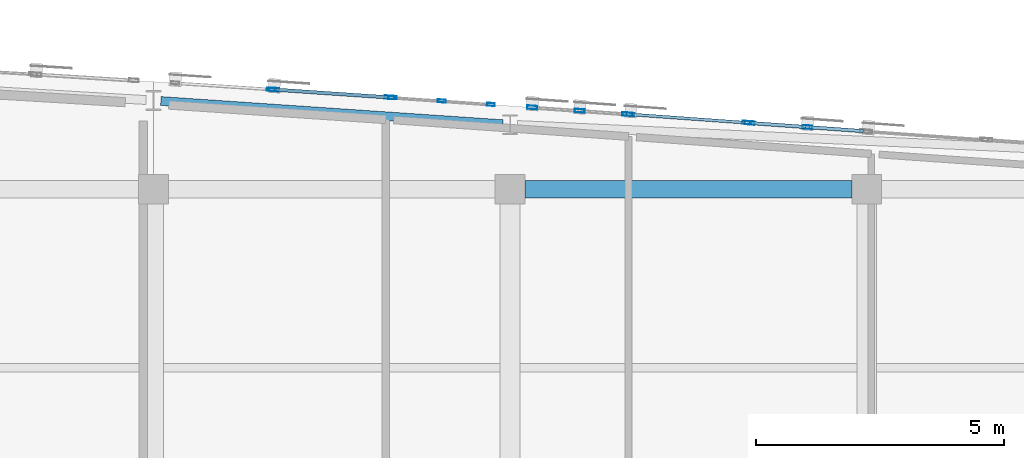
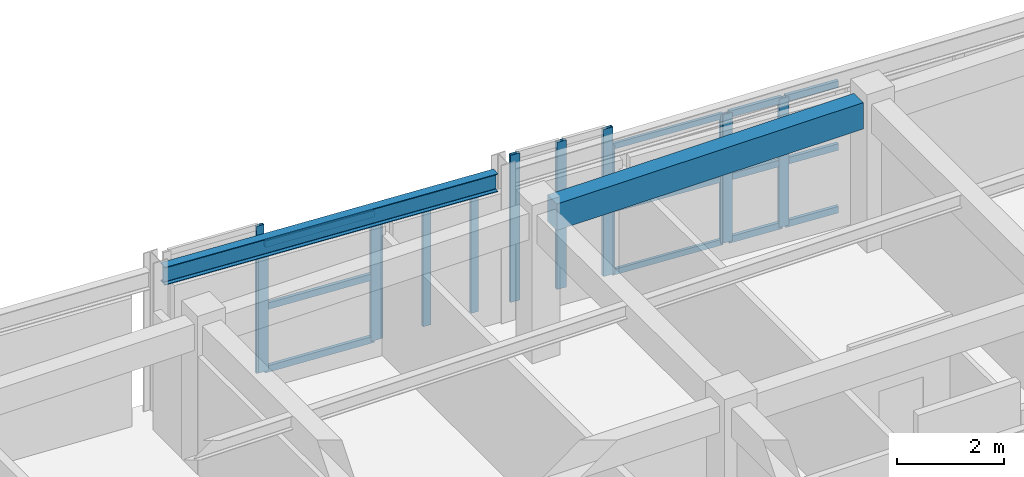
# One storey, part 35 of 73: 25 members, 2 beams, 6 elements without a shape of their own.
"""IFC4 building model written with IfcOpenShell, lengths in metres."""

from ifc_helpers import new_model, si_unit, direction, frame, origin, origin_2d, place, context, subcontext, project, spatial, rectangle, hollow_rectangle, i_section, extrude, material, layer, layer_set, material_profile, profile_set, type_object, element, aggregate, save


model = new_model("IFC4")

# Units and contexts
model_context = context("Model", 3, precision=1e-05, world=origin(), true_north=direction((0.0, 1.0)))
body_context = subcontext(model_context, "Body", "Model", "MODEL_VIEW")
ifc_project = project(units=[si_unit("LENGTHUNIT", "METRE"), si_unit("AREAUNIT", "SQUARE_METRE"), si_unit("VOLUMEUNIT", "CUBIC_METRE"), si_unit("PLANEANGLEUNIT", "RADIAN"), si_unit("MASSUNIT", "GRAM", prefix="KILO")], contexts=[model_context])

# Site, building, storey
site_placement = place(None, origin())
site = spatial("IfcSite", under=ifc_project, at=site_placement, CompositionType="ELEMENT")
building_placement = place(site_placement, origin())
building = spatial("IfcBuilding", under=site, at=building_placement, Name="Carrowvane Square Congress Hotel", CompositionType="ELEMENT")
storey_placement = place(building_placement, frame((0.0, 0.0, 19.199951171875)))
storey = spatial("IfcBuildingStorey", under=building, at=storey_placement, Name="L04", CompositionType="ELEMENT", Elevation=19.199951171875)

# Beams
ifc_material_1 = material(Name="Concrete C35/45", Category="concrete")
ifc_material_profile_1 = material_profile(ifc_material_1, rectangle(XDim=0.35009765625, YDim=0.60009765625, at=origin_2d()), Name="RC 350x600")
ifc_profile_set_1 = profile_set([ifc_material_profile_1], Name="Concrete C35/45")
beam_type_1 = type_object("IfcBeamType", Name="BM-RC-350x600", PredefinedType="BEAM", material=ifc_profile_set_1)
beam_1_placement = place(storey_placement, frame((134.300048828125, 113.39990234375, 3.050048828125), z_axis=(1.0, 0.0, 0.0), x_axis=(0.0, 1.0, 0.0)))
element("IfcBeam", 1, at=beam_1_placement, inside=storey, type_object=beam_type_1, Name="L05 girder R/18-19", PredefinedType="BEAM", context=body_context, shape_type="SweptSolid", body=[
    extrude(rectangle(XDim=0.35009765625, YDim=0.60009765625, at=origin_2d()), origin(), (0.0, 0.0, 1.0), 6.599853515625),
])
ifc_material_2 = material(Name="Steel S355", Category="steel")
ifc_material_profile_2 = material_profile(ifc_material_2, i_section(OverallWidth=0.1787109375, OverallDepth=0.409423828125, WebThickness=0.0087890625, FlangeThickness=0.014404296875, FilletRadius=0.01025390625, at=origin_2d()), Name="UKB 406x178x67")
ifc_profile_set_2 = profile_set([ifc_material_profile_2], Name="Steel S355")
beam_type_2 = type_object("IfcBeamType", Name="BM-ST-UKB406", PredefinedType="BEAM", material=ifc_profile_set_2)
beam_2_placement = place(storey_placement, frame((126.94970703125, 115.18408203125, 3.145263671875), z_axis=(0.997707965639, -0.067666943928, 0.0), x_axis=(0.067666943928, 0.997707965639, 0.0)))
element("IfcBeam", 2, at=beam_2_placement, inside=storey, type_object=beam_type_2, Name="L05 curved north spandrel", PredefinedType="BEAM", context=body_context, shape_type="SweptSolid", body=[
    extrude(i_section(OverallWidth=0.1787109375, OverallDepth=0.409423828125, WebThickness=0.0087890625, FlangeThickness=0.014404296875, FilletRadius=0.01025390625, at=origin_2d()), origin(), (0.0, 0.0, 1.0), 6.91650390625),
])

# Curtain wall, member
ifc_material_3 = material(Name="Anodised aluminium", Category="aluminium")
ifc_layer_1 = layer(ifc_material_3, 0.2099609375)
ifc_layer_set_1 = layer_set([ifc_layer_1], Name="Anodised aluminium")
curtain_wall_type_1 = type_object("IfcCurtainWallType", Name="CW-SYS-5", PredefinedType="NOTDEFINED", material=ifc_layer_set_1)
curtain_wall_1_placement = place(storey_placement, origin())
curtain_wall_1 = element("IfcCurtainWall", 3, at=curtain_wall_1_placement, inside=storey, type_object=curtain_wall_type_1, Name="L04 unitised curtain wall 284", PredefinedType="NOTDEFINED")
ifc_material_4 = material(Name="Anodised aluminium", Category="aluminium")
ifc_material_profile_3 = material_profile(ifc_material_4, hollow_rectangle(XDim=0.06005859375, YDim=0.159912109375, WallThickness=0.00390625, at=origin_2d()), Name="CW-ML 60x160x4")
ifc_profile_set_3 = profile_set([ifc_material_profile_3], Name="Anodised aluminium")
member_type_1 = type_object("IfcMemberType", Name="CW-MUL-1", PredefinedType="MULLION", material=ifc_profile_set_3)
member_1_placement = place(storey_placement, frame((129.170166015625, 115.4189453125, 0.0), z_axis=(0.0, 0.0, 1.0), x_axis=(0.065413941589, 0.9978582145, 0.0)))
member_1 = element("IfcMember", 4, at=member_1_placement, type_object=member_type_1, Name="CW-5 mullion 2", PredefinedType="MULLION", context=body_context, shape_type="SweptSolid", body=[
    extrude(hollow_rectangle(XDim=0.06005859375, YDim=0.159912109375, WallThickness=0.00390625, at=origin_2d()), origin(), (0.0, 0.0, 1.0), 3.35009765625),
])
aggregate(curtain_wall_1, [member_1])

# Curtain wall, members
ifc_material_5 = material(Name="Anodised aluminium", Category="aluminium")
ifc_layer_2 = layer(ifc_material_5, 0.23388671875)
ifc_layer_set_2 = layer_set([ifc_layer_2], Name="Anodised aluminium")
curtain_wall_type_2 = type_object("IfcCurtainWallType", Name="CW-SYS-7", PredefinedType="NOTDEFINED", material=ifc_layer_set_2)
curtain_wall_2_placement = place(storey_placement, origin())
curtain_wall_2 = element("IfcCurtainWall", 5, at=curtain_wall_2_placement, inside=storey, type_object=curtain_wall_type_2, Name="L04 unitised curtain wall 286", PredefinedType="NOTDEFINED")
member_2_placement = place(storey_placement, frame((131.6298828125, 115.251708984375, 0.0), z_axis=(0.0, 0.0, 1.0), x_axis=(0.069726879118, 0.997566119277, 0.0)))
member_2 = element("IfcMember", 6, at=member_2_placement, type_object=member_type_1, Name="CW-7 mullion 1", PredefinedType="MULLION", context=body_context, shape_type="SweptSolid", body=[
    extrude(hollow_rectangle(XDim=0.06005859375, YDim=0.159912109375, WallThickness=0.00390625, at=origin_2d()), origin(), (0.0, 0.0, 1.0), 2.925537109375),
])
member_3_placement = place(storey_placement, frame((132.621337890625, 115.182373046875, 0.0), z_axis=(0.0, 0.0, 1.0), x_axis=(0.069726879118, 0.997566119277, 0.0)))
member_3 = element("IfcMember", 7, at=member_3_placement, type_object=member_type_1, Name="CW-7 mullion 2", PredefinedType="MULLION", context=body_context, shape_type="SweptSolid", body=[
    extrude(hollow_rectangle(XDim=0.06005859375, YDim=0.159912109375, WallThickness=0.00390625, at=origin_2d()), origin(), (0.0, 0.0, 1.0), 2.925537109375),
])
member_4_placement = place(storey_placement, frame((133.61279296875, 115.113037109375, 0.0), z_axis=(0.0, 0.0, 1.0), x_axis=(0.069726879118, 0.997566119277, 0.0)))
member_4 = element("IfcMember", 8, at=member_4_placement, type_object=member_type_1, Name="CW-7 mullion 3", PredefinedType="MULLION", context=body_context, shape_type="SweptSolid", body=[
    extrude(hollow_rectangle(XDim=0.06005859375, YDim=0.159912109375, WallThickness=0.00390625, at=origin_2d()), origin(), (0.0, 0.0, 1.0), 2.925537109375),
])
aggregate(curtain_wall_2, [member_2, member_3, member_4])

ifc_material_6 = material(Name="Anodised aluminium", Category="aluminium")
ifc_layer_3 = layer(ifc_material_6, 0.162109375)
ifc_layer_set_3 = layer_set([ifc_layer_3], Name="Anodised aluminium")
curtain_wall_type_3 = type_object("IfcCurtainWallType", Name="CW-SYS-1", PredefinedType="NOTDEFINED", material=ifc_layer_set_3)
curtain_wall_3_placement = place(storey_placement, origin())
curtain_wall_3 = element("IfcCurtainWall", 9, at=curtain_wall_3_placement, inside=storey, type_object=curtain_wall_type_3, Name="L04 unitised curtain wall 288", PredefinedType="NOTDEFINED")
member_5_placement = place(storey_placement, frame((136.429931640625, 114.9130859375, 0.0), z_axis=(0.0, 0.0, 1.0), x_axis=(0.071531759512, 0.997438322595, 0.0)))
member_5 = element("IfcMember", 10, at=member_5_placement, type_object=member_type_1, Name="CW-1 mullion 1", PredefinedType="MULLION", context=body_context, shape_type="SweptSolid", body=[
    extrude(hollow_rectangle(XDim=0.06005859375, YDim=0.159912109375, WallThickness=0.00390625, at=origin_2d()), origin(), (0.0, 0.0, 1.0), 2.925537109375),
])
member_6_placement = place(storey_placement, frame((138.77001953125, 114.745361328125, 0.0), z_axis=(0.0, 0.0, 1.0), x_axis=(0.071531759512, 0.997438322595, 0.0)))
member_6 = element("IfcMember", 11, at=member_6_placement, type_object=member_type_1, Name="CW-1 mullion 2", PredefinedType="MULLION", context=body_context, shape_type="SweptSolid", body=[
    extrude(hollow_rectangle(XDim=0.06005859375, YDim=0.159912109375, WallThickness=0.00390625, at=origin_2d()), origin(), (0.0, 0.0, 1.0), 2.925537109375),
])

ifc_material_7 = material(Name="Anodised aluminium", Category="aluminium")
ifc_layer_4 = layer(ifc_material_7, 0.221923828125)
ifc_layer_set_4 = layer_set([ifc_layer_4], Name="Anodised aluminium")
curtain_wall_type_4 = type_object("IfcCurtainWallType", Name="CW-SYS-6", PredefinedType="NOTDEFINED", material=ifc_layer_set_4)
curtain_wall_4_placement = place(storey_placement, origin())
curtain_wall_4 = element("IfcCurtainWall", 12, at=curtain_wall_4_placement, inside=storey, type_object=curtain_wall_type_4, Name="L04 unitised curtain wall 285", PredefinedType="NOTDEFINED")
ifc_material_8 = material(Name="Anodised aluminium", Category="aluminium")
ifc_material_profile_4 = material_profile(ifc_material_8, hollow_rectangle(XDim=0.070068359375, YDim=0.199951171875, WallThickness=0.0048828125, at=origin_2d()), Name="CW-ML 70x200x5")
ifc_profile_set_4 = profile_set([ifc_material_profile_4], Name="Anodised aluminium")
member_type_2 = type_object("IfcMemberType", Name="CW-MUL-2", PredefinedType="MULLION", material=ifc_profile_set_4)
member_7_placement = place(storey_placement, frame((129.23486328125, 115.41455078125, 0.0), z_axis=(0.0, 0.0, 1.0), x_axis=(0.067869562107, 0.99769420292, 0.0)))
member_7 = element("IfcMember", 13, at=member_7_placement, type_object=member_type_2, Name="CW-6 mullion 1", PredefinedType="MULLION", context=body_context, shape_type="SweptSolid", body=[
    extrude(hollow_rectangle(XDim=0.070068359375, YDim=0.199951171875, WallThickness=0.0048828125, at=origin_2d()), origin(), (0.0, 0.0, 1.0), 2.925537109375),
])
member_8_placement = place(storey_placement, frame((131.56494140625, 115.256103515625, 0.0), z_axis=(0.0, 0.0, 1.0), x_axis=(0.067869562107, 0.99769420292, 0.0)))
member_8 = element("IfcMember", 14, at=member_8_placement, type_object=member_type_2, Name="CW-6 mullion 2", PredefinedType="MULLION", context=body_context, shape_type="SweptSolid", body=[
    extrude(hollow_rectangle(XDim=0.070068359375, YDim=0.199951171875, WallThickness=0.0048828125, at=origin_2d()), origin(), (0.0, 0.0, 1.0), 2.925537109375),
])

ifc_material_9 = material(Name="Anodised aluminium", Category="aluminium")
ifc_layer_5 = layer(ifc_material_9, 0.24609375)
ifc_layer_set_5 = layer_set([ifc_layer_5], Name="Anodised aluminium")
curtain_wall_type_5 = type_object("IfcCurtainWallType", Name="CW-SYS-8", PredefinedType="NOTDEFINED", material=ifc_layer_set_5)
curtain_wall_5_placement = place(storey_placement, origin())
curtain_wall_5 = element("IfcCurtainWall", 15, at=curtain_wall_5_placement, inside=storey, type_object=curtain_wall_type_5, Name="L04 unitised curtain wall 287", PredefinedType="NOTDEFINED")
member_9_placement = place(storey_placement, frame((134.445556640625, 115.05419921875, 0.0), z_axis=(0.0, 0.0, 1.0), x_axis=(0.070959862453, 0.997479171673, 0.0)))
member_9 = element("IfcMember", 16, at=member_9_placement, type_object=member_type_2, Name="CW-8 mullion 1", PredefinedType="MULLION", context=body_context, shape_type="SweptSolid", body=[
    extrude(hollow_rectangle(XDim=0.070068359375, YDim=0.199951171875, WallThickness=0.0048828125, at=origin_2d()), origin(), (0.0, 0.0, 1.0), 3.35009765625),
])
member_10_placement = place(storey_placement, frame((135.4052734375, 114.986083984375, 0.0), z_axis=(0.0, 0.0, 1.0), x_axis=(0.070959862453, 0.997479171673, 0.0)))
member_10 = element("IfcMember", 17, at=member_10_placement, type_object=member_type_2, Name="CW-8 mullion 2", PredefinedType="MULLION", context=body_context, shape_type="SweptSolid", body=[
    extrude(hollow_rectangle(XDim=0.070068359375, YDim=0.199951171875, WallThickness=0.0048828125, at=origin_2d()), origin(), (0.0, 0.0, 1.0), 3.35009765625),
])
member_11_placement = place(storey_placement, frame((136.365234375, 114.917724609375, 0.0), z_axis=(0.0, 0.0, 1.0), x_axis=(0.070959862453, 0.997479171673, 0.0)))
member_11 = element("IfcMember", 18, at=member_11_placement, type_object=member_type_2, Name="CW-8 mullion 3", PredefinedType="MULLION", context=body_context, shape_type="SweptSolid", body=[
    extrude(hollow_rectangle(XDim=0.070068359375, YDim=0.199951171875, WallThickness=0.0048828125, at=origin_2d()), origin(), (0.0, 0.0, 1.0), 3.35009765625),
])
aggregate(curtain_wall_5, [member_9, member_10, member_11])

ifc_material_10 = material(Name="Anodised aluminium", Category="aluminium")
ifc_layer_6 = layer(ifc_material_10, 0.174072265625)
ifc_layer_set_6 = layer_set([ifc_layer_6], Name="Anodised aluminium")
curtain_wall_type_6 = type_object("IfcCurtainWallType", Name="CW-SYS-2", PredefinedType="NOTDEFINED", material=ifc_layer_set_6)
curtain_wall_6_placement = place(storey_placement, origin())
curtain_wall_6 = element("IfcCurtainWall", 19, at=curtain_wall_6_placement, inside=storey, type_object=curtain_wall_type_6, Name="L04 unitised curtain wall 289", PredefinedType="NOTDEFINED")
member_12_placement = place(storey_placement, frame((138.8349609375, 114.74072265625, 0.0), z_axis=(0.0, 0.0, 1.0), x_axis=(0.071422490945, 0.997446152826, 0.0)))
member_12 = element("IfcMember", 20, at=member_12_placement, type_object=member_type_2, Name="CW-2 mullion 1", PredefinedType="MULLION", context=body_context, shape_type="SweptSolid", body=[
    extrude(hollow_rectangle(XDim=0.070068359375, YDim=0.199951171875, WallThickness=0.0048828125, at=origin_2d()), origin(), (0.0, 0.0, 1.0), 2.925537109375),
])
member_13_placement = place(storey_placement, frame((140.0, 114.6572265625, 0.0), z_axis=(0.0, 0.0, 1.0), x_axis=(0.071422490945, 0.997446152826, 0.0)))
member_13 = element("IfcMember", 21, at=member_13_placement, type_object=member_type_2, Name="CW-2 mullion 2", PredefinedType="MULLION", context=body_context, shape_type="SweptSolid", body=[
    extrude(hollow_rectangle(XDim=0.070068359375, YDim=0.199951171875, WallThickness=0.0048828125, at=origin_2d()), origin(), (0.0, 0.0, 1.0), 2.925537109375),
])

# Member
ifc_material_11 = material(Name="Anodised aluminium", Category="aluminium")
ifc_material_profile_5 = material_profile(ifc_material_11, hollow_rectangle(XDim=0.06005859375, YDim=0.1298828125, WallThickness=0.00390625, at=origin_2d()), Name="CW-TR 60x130x4")
ifc_profile_set_5 = profile_set([ifc_material_profile_5], Name="Anodised aluminium")
member_type_3 = type_object("IfcMemberType", Name="CW-TRN-1", PredefinedType="USERDEFINED", material=ifc_profile_set_5)
member_14_placement = place(storey_placement, frame((136.4599609375, 114.910888671875, 0.030029296875), z_axis=(0.997436969988, -0.071550617761, 0.0), x_axis=(0.071550617761, 0.997436969988, 0.0)))
member_14 = element("IfcMember", 22, at=member_14_placement, type_object=member_type_3, Name="CW-1 transom 1.1", ObjectType="TRANSOM", PredefinedType="USERDEFINED", context=body_context, shape_type="SweptSolid", body=[
    extrude(hollow_rectangle(XDim=0.06005859375, YDim=0.1298828125, WallThickness=0.00390625, at=origin_2d()), origin(), (0.0, 0.0, 1.0), 2.2861328125),
])

member_15_placement = place(storey_placement, frame((136.4599609375, 114.910888671875, 1.462890625), z_axis=(0.997436969988, -0.071550617761, 0.0), x_axis=(0.071550617761, 0.997436969988, 0.0)))
member_15 = element("IfcMember", 23, at=member_15_placement, type_object=member_type_3, Name="CW-1 transom 1.2", ObjectType="TRANSOM", PredefinedType="USERDEFINED", context=body_context, shape_type="SweptSolid", body=[
    extrude(hollow_rectangle(XDim=0.06005859375, YDim=0.1298828125, WallThickness=0.00390625, at=origin_2d()), origin(), (0.0, 0.0, 1.0), 2.2861328125),
])

member_16_placement = place(storey_placement, frame((136.4599609375, 114.910888671875, 2.895751953125), z_axis=(0.997436969988, -0.071550617761, 0.0), x_axis=(0.071550617761, 0.997436969988, 0.0)))
member_16 = element("IfcMember", 24, at=member_16_placement, type_object=member_type_3, Name="CW-1 transom 1.3", ObjectType="TRANSOM", PredefinedType="USERDEFINED", context=body_context, shape_type="SweptSolid", body=[
    extrude(hollow_rectangle(XDim=0.06005859375, YDim=0.1298828125, WallThickness=0.00390625, at=origin_2d()), origin(), (0.0, 0.0, 1.0), 2.2861328125),
])

aggregate(curtain_wall_3, [member_5, member_6, member_14, member_15, member_16])

ifc_material_12 = material(Name="Anodised aluminium", Category="aluminium")
ifc_material_profile_6 = material_profile(ifc_material_12, hollow_rectangle(XDim=0.070068359375, YDim=0.14990234375, WallThickness=0.0048828125, at=origin_2d()), Name="CW-TR 70x150x5")
ifc_profile_set_6 = profile_set([ifc_material_profile_6], Name="Anodised aluminium")
member_type_4 = type_object("IfcMemberType", Name="CW-TRN-2", PredefinedType="USERDEFINED", material=ifc_profile_set_6)
member_17_placement = place(storey_placement, frame((129.269775390625, 115.412109375, 0.03515625), z_axis=(0.997699953678, -0.067784972009, 0.0), x_axis=(0.067784972009, 0.997699953678, 0.0)))
member_17 = element("IfcMember", 25, at=member_17_placement, type_object=member_type_4, Name="CW-6 transom 1.1", ObjectType="TRANSOM", PredefinedType="USERDEFINED", context=body_context, shape_type="SweptSolid", body=[
    extrude(hollow_rectangle(XDim=0.070068359375, YDim=0.14990234375, WallThickness=0.0048828125, at=origin_2d()), origin(), (0.0, 0.0, 1.0), 2.265380859375),
])

member_18_placement = place(storey_placement, frame((129.269775390625, 115.412109375, 1.462890625), z_axis=(0.997699953678, -0.067784972009, 0.0), x_axis=(0.067784972009, 0.997699953678, 0.0)))
member_18 = element("IfcMember", 26, at=member_18_placement, type_object=member_type_4, Name="CW-6 transom 1.2", ObjectType="TRANSOM", PredefinedType="USERDEFINED", context=body_context, shape_type="SweptSolid", body=[
    extrude(hollow_rectangle(XDim=0.070068359375, YDim=0.14990234375, WallThickness=0.0048828125, at=origin_2d()), origin(), (0.0, 0.0, 1.0), 2.265380859375),
])

member_19_placement = place(storey_placement, frame((129.269775390625, 115.412109375, 2.890625), z_axis=(0.997699953678, -0.067784972009, 0.0), x_axis=(0.067784972009, 0.997699953678, 0.0)))
member_19 = element("IfcMember", 27, at=member_19_placement, type_object=member_type_4, Name="CW-6 transom 1.3", ObjectType="TRANSOM", PredefinedType="USERDEFINED", context=body_context, shape_type="SweptSolid", body=[
    extrude(hollow_rectangle(XDim=0.070068359375, YDim=0.14990234375, WallThickness=0.0048828125, at=origin_2d()), origin(), (0.0, 0.0, 1.0), 2.265380859375),
])

aggregate(curtain_wall_4, [member_7, member_8, member_17, member_18, member_19])

member_20_placement = place(storey_placement, frame((138.869873046875, 114.738037109375, 0.03515625), z_axis=(0.997449662492, -0.071373460022, 0.0), x_axis=(0.071373460022, 0.997449662492, 0.0)))
member_20 = element("IfcMember", 28, at=member_20_placement, type_object=member_type_4, Name="CW-2 transom 1.1", ObjectType="TRANSOM", PredefinedType="USERDEFINED", context=body_context, shape_type="SweptSolid", body=[
    extrude(hollow_rectangle(XDim=0.070068359375, YDim=0.14990234375, WallThickness=0.0048828125, at=origin_2d()), origin(), (0.0, 0.0, 1.0), 1.097900390625),
])

member_21_placement = place(storey_placement, frame((138.869873046875, 114.738037109375, 1.462890625), z_axis=(0.997449662492, -0.071373460022, 0.0), x_axis=(0.071373460022, 0.997449662492, 0.0)))
member_21 = element("IfcMember", 29, at=member_21_placement, type_object=member_type_4, Name="CW-2 transom 1.2", ObjectType="TRANSOM", PredefinedType="USERDEFINED", context=body_context, shape_type="SweptSolid", body=[
    extrude(hollow_rectangle(XDim=0.070068359375, YDim=0.14990234375, WallThickness=0.0048828125, at=origin_2d()), origin(), (0.0, 0.0, 1.0), 1.097900390625),
])

member_22_placement = place(storey_placement, frame((138.869873046875, 114.738037109375, 2.890625), z_axis=(0.997449662492, -0.071373460022, 0.0), x_axis=(0.071373460022, 0.997449662492, 0.0)))
member_22 = element("IfcMember", 30, at=member_22_placement, type_object=member_type_4, Name="CW-2 transom 1.3", ObjectType="TRANSOM", PredefinedType="USERDEFINED", context=body_context, shape_type="SweptSolid", body=[
    extrude(hollow_rectangle(XDim=0.070068359375, YDim=0.14990234375, WallThickness=0.0048828125, at=origin_2d()), origin(), (0.0, 0.0, 1.0), 1.097900390625),
])

member_23_placement = place(storey_placement, frame((140.034912109375, 114.65478515625, 0.03515625), z_axis=(0.997433808996, -0.071594669304, 0.0), x_axis=(0.071594669304, 0.997433808996, 0.0)))
member_23 = element("IfcMember", 31, at=member_23_placement, type_object=member_type_4, Name="CW-2 transom 2.1", ObjectType="TRANSOM", PredefinedType="USERDEFINED", context=body_context, shape_type="SweptSolid", body=[
    extrude(hollow_rectangle(XDim=0.070068359375, YDim=0.14990234375, WallThickness=0.0048828125, at=origin_2d()), origin(), (0.0, 0.0, 1.0), 1.09814453125),
])

member_24_placement = place(storey_placement, frame((140.034912109375, 114.65478515625, 1.462890625), z_axis=(0.997433808996, -0.071594669304, 0.0), x_axis=(0.071594669304, 0.997433808996, 0.0)))
member_24 = element("IfcMember", 32, at=member_24_placement, type_object=member_type_4, Name="CW-2 transom 2.2", ObjectType="TRANSOM", PredefinedType="USERDEFINED", context=body_context, shape_type="SweptSolid", body=[
    extrude(hollow_rectangle(XDim=0.070068359375, YDim=0.14990234375, WallThickness=0.0048828125, at=origin_2d()), origin(), (0.0, 0.0, 1.0), 1.09814453125),
])

member_25_placement = place(storey_placement, frame((140.034912109375, 114.65478515625, 2.890625), z_axis=(0.997433808996, -0.071594669304, 0.0), x_axis=(0.071594669304, 0.997433808996, 0.0)))
member_25 = element("IfcMember", 33, at=member_25_placement, type_object=member_type_4, Name="CW-2 transom 2.3", ObjectType="TRANSOM", PredefinedType="USERDEFINED", context=body_context, shape_type="SweptSolid", body=[
    extrude(hollow_rectangle(XDim=0.070068359375, YDim=0.14990234375, WallThickness=0.0048828125, at=origin_2d()), origin(), (0.0, 0.0, 1.0), 1.09814453125),
])

aggregate(curtain_wall_6, [member_12, member_13, member_20, member_21, member_22, member_23, member_24, member_25])

save(model, "model.ifc")
